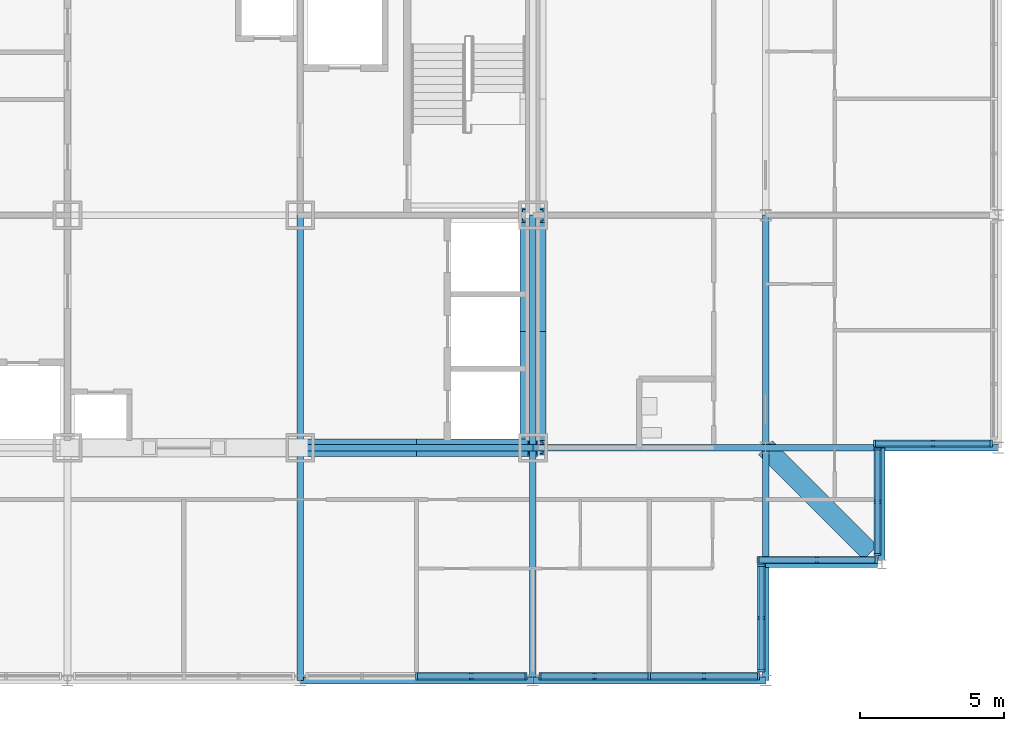
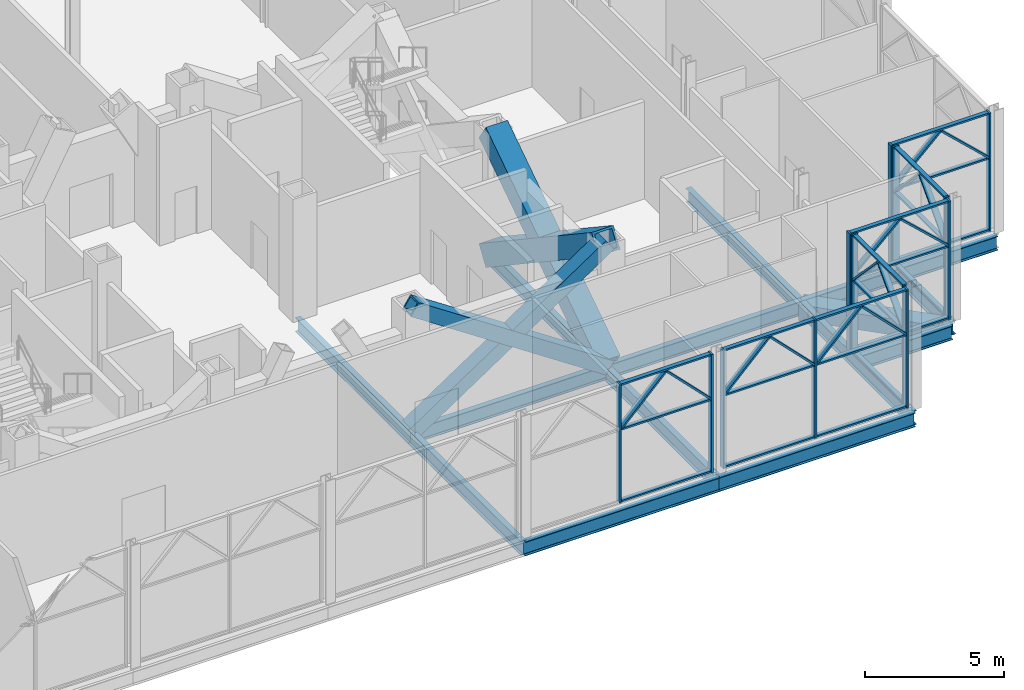
# One storey, part 8 of 26: 52 members, 14 beams, 6 elements without a shape of their own.
"""IFC4 building model written with IfcOpenShell, lengths in metres."""

from ifc_helpers import new_model, si_unit, direction, frame, origin, origin_2d, place, context, subcontext, project, spatial, rectangle, hollow_rectangle, i_section, extrude, material, material_profile, profile_set, type_object, element, aggregate, save


model = new_model("IFC4")

# Units and contexts
model_context = context("Model", 3, precision=1e-05, world=origin(), true_north=direction((0.0, 1.0)))
body_context = subcontext(model_context, "Body", "Model", "MODEL_VIEW")
ifc_project = project(units=[si_unit("LENGTHUNIT", "METRE"), si_unit("AREAUNIT", "SQUARE_METRE"), si_unit("VOLUMEUNIT", "CUBIC_METRE"), si_unit("PLANEANGLEUNIT", "RADIAN"), si_unit("MASSUNIT", "GRAM", prefix="KILO")], contexts=[model_context])

# Site, building, storey
site_placement = place(None, origin())
site = spatial("IfcSite", under=ifc_project, at=site_placement, CompositionType="ELEMENT")
building_placement = place(site_placement, origin())
building = spatial("IfcBuilding", under=site, at=building_placement, Name="Kopane Lantern Tower", CompositionType="ELEMENT")
storey_placement = place(building_placement, frame((0.0, 0.0, 293.10009765625)))
storey = spatial("IfcBuildingStorey", under=building, at=storey_placement, Name="L75", CompositionType="ELEMENT", Elevation=293.10009765625)

# Members
ifc_material_1 = material(Name="Steel S355JR", Category="steel")
ifc_material_profile_1 = material_profile(ifc_material_1, hollow_rectangle(XDim=0.60009765625, YDim=0.60009765625, WallThickness=0.06005859375, at=origin_2d()), Name="BOX 600x600x60")
ifc_profile_set_1 = profile_set([ifc_material_profile_1], Name="Steel S355JR")
member_type_1 = type_object("IfcMemberType", Name="BRACE BOX 600x600x60", PredefinedType="BRACE", material=ifc_profile_set_1)
for number, where, z_axis, x_axis, name in (
    (1, (32.39990234375, 24.300048828125, -0.210205078125), (0.832046436124, 0.0, 0.554705983502), (0.0, 1.0, 0.0), "Core brace L75"),
    (2, (40.5, 24.300048828125, -0.210205078125), (-0.832046436124, 0.0, 0.554705983502), (0.0, -1.0, 0.0), "Core brace L75"),
):
    element("IfcMember", number, at=place(storey_placement, frame(where, z_axis=z_axis, x_axis=x_axis)), inside=storey, type_object=member_type_1, Name=name, PredefinedType="BRACE", context=body_context, shape_type="SweptSolid", body=[
        extrude(hollow_rectangle(XDim=0.60009765625, YDim=0.60009765625, WallThickness=0.06005859375, at=origin_2d()), origin(), (0.0, 0.0, 1.0), 9.735107421875),
    ])
ifc_material_2 = material(Name="Steel S355JR", Category="steel")
ifc_material_profile_2 = material_profile(ifc_material_2, hollow_rectangle(XDim=0.89990234375, YDim=0.89990234375, WallThickness=0.090087890625, at=origin_2d()), Name="BOX 900x900x90")
ifc_profile_set_2 = profile_set([ifc_material_profile_2], Name="Steel S355JR")
member_type_2 = type_object("IfcMemberType", Name="BRACE BOX 900x900x90", PredefinedType="BRACE", material=ifc_profile_set_2)
for number, where, z_axis, x_axis, name in (
    (3, (40.5, 24.300048828125, -0.210205078125), (0.0, 0.832038719335, 0.554717558338), (-1.0, 0.0, 0.0), "Core brace L75"),
    (4, (40.5, 32.39990234375, -0.210205078125), (0.0, -0.832038719335, 0.554717558338), (1.0, 0.0, 0.0), "Core brace L75"),
):
    element("IfcMember", number, at=place(storey_placement, frame(where, z_axis=z_axis, x_axis=x_axis)), inside=storey, type_object=member_type_2, Name=name, PredefinedType="BRACE", context=body_context, shape_type="SweptSolid", body=[
        extrude(hollow_rectangle(XDim=0.89990234375, YDim=0.89990234375, WallThickness=0.090087890625, at=origin_2d()), origin(), (0.0, 0.0, 1.0), 9.73486328125),
    ])

# Beams
ifc_material_3 = material(Name="Steel S355JR", Category="steel")
ifc_material_profile_3 = material_profile(ifc_material_3, i_section(OverallWidth=0.22900390625, OverallDepth=0.6123046875, WebThickness=0.011962890625, FlangeThickness=0.01953125, FilletRadius=0.0126953125, at=origin_2d()), Name="UB 610x229x125")
ifc_profile_set_3 = profile_set([ifc_material_profile_3], Name="Steel S355JR")
beam_type_1 = type_object("IfcBeamType", Name="CORE BEAM UB 610x229x125", PredefinedType="BEAM", material=ifc_profile_set_3)
beam_1_placement = place(storey_placement, frame((32.39990234375, 24.300048828125, -0.51611328125), z_axis=(0.0, 1.0, 0.0), x_axis=(-1.0, 0.0, 0.0)))
element("IfcBeam", 5, at=beam_1_placement, inside=storey, type_object=beam_type_1, Name="Core Beam L75", PredefinedType="BEAM", context=body_context, shape_type="SweptSolid", body=[
    extrude(i_section(OverallWidth=0.22900390625, OverallDepth=0.6123046875, WebThickness=0.011962890625, FlangeThickness=0.01953125, FilletRadius=0.0126953125, at=origin_2d()), origin(), (0.0, 0.0, 1.0), 8.099853515625),
])
ifc_material_4 = material(Name="Steel S355JR", Category="steel")
ifc_material_profile_4 = material_profile(ifc_material_4, hollow_rectangle(XDim=0.699951171875, YDim=0.699951171875, WallThickness=0.06005859375, at=origin_2d()), Name="BOX 700x700x60")
ifc_profile_set_4 = profile_set([ifc_material_profile_4], Name="Steel S355JR")
beam_type_2 = type_object("IfcBeamType", Name="CORNER TIE BEAM BOX 700x700x60", PredefinedType="BEAM", material=ifc_profile_set_4)
beam_2_placement = place(storey_placement, frame((52.25244140625, 20.6474609375, -0.56005859375), z_axis=(-0.707083148333, 0.70713041325, 0.0), x_axis=(-0.70713041325, -0.707083148333, 0.0)))
element("IfcBeam", 6, at=beam_2_placement, inside=storey, type_object=beam_type_2, Name="Corner Tie Beam L75", PredefinedType="BEAM", context=body_context, shape_type="SweptSolid", body=[
    extrude(hollow_rectangle(XDim=0.699951171875, YDim=0.699951171875, WallThickness=0.06005859375, at=origin_2d()), origin(), (0.0, 0.0, 1.0), 5.165283203125),
])
ifc_material_5 = material(Name="Steel S355JR", Category="steel")
ifc_material_profile_5 = material_profile(ifc_material_5, i_section(OverallWidth=0.22900390625, OverallDepth=0.6123046875, WebThickness=0.011962890625, FlangeThickness=0.01953125, FilletRadius=0.0126953125, at=origin_2d()), Name="UB 610x229x125")
ifc_profile_set_5 = profile_set([ifc_material_profile_5], Name="Steel S355JR")
beam_type_3 = type_object("IfcBeamType", Name="EDGE BEAM UB 610x229x125", PredefinedType="BEAM", material=ifc_profile_set_5)
for number, where, z_axis, x_axis, name in (
    (7, (52.496337890625, 20.25, -0.51611328125), (-1.0, 0.0, 0.0), (0.0, -1.0, 0.0), "Edge Beam L75"),
    (8, (52.64990234375, 20.40380859375, -0.51611328125), (0.0, 1.0, 0.0), (-1.0, 0.0, 0.0), "Edge Beam L75"),
):
    element("IfcBeam", number, at=place(storey_placement, frame(where, z_axis=z_axis, x_axis=x_axis)), inside=storey, type_object=beam_type_3, Name=name, PredefinedType="BEAM", context=body_context, shape_type="SweptSolid", body=[
        extrude(i_section(OverallWidth=0.22900390625, OverallDepth=0.6123046875, WebThickness=0.011962890625, FlangeThickness=0.01953125, FilletRadius=0.0126953125, at=origin_2d()), origin(), (0.0, 0.0, 1.0), 3.896240234375),
    ])
ifc_material_6 = material(Name="Steel S355JR", Category="steel")
ifc_material_profile_6 = material_profile(ifc_material_6, i_section(OverallWidth=0.22900390625, OverallDepth=0.6123046875, WebThickness=0.011962890625, FlangeThickness=0.01953125, FilletRadius=0.0126953125, at=origin_2d()), Name="UB 610x229x125")
ifc_profile_set_6 = profile_set([ifc_material_profile_6], Name="Steel S355JR")
beam_type_4 = type_object("IfcBeamType", Name="GIRDER UB 610x229x125", PredefinedType="BEAM", material=ifc_profile_set_6)
for number, where, z_axis, x_axis, name in (
    (9, (32.39990234375, 16.199951171875, -0.51611328125), (0.0, 1.0, 0.0), (-1.0, 0.0, 0.0), "Girder L75"),
    (10, (32.39990234375, 16.199951171875, -0.51611328125), (1.0, 0.0, 0.0), (0.0, 1.0, 0.0), "Girder L75"),
    (11, (32.39990234375, 24.300048828125, -0.51611328125), (1.0, 0.0, 0.0), (0.0, 1.0, 0.0), "Girder L75"),
    (12, (40.5, 16.199951171875, -0.51611328125), (0.0, 1.0, 0.0), (-1.0, 0.0, 0.0), "Girder L75"),
    (13, (40.5, 16.199951171875, -0.51611328125), (1.0, 0.0, 0.0), (0.0, 1.0, 0.0), "Girder L75"),
):
    element("IfcBeam", number, at=place(storey_placement, frame(where, z_axis=z_axis, x_axis=x_axis)), inside=storey, type_object=beam_type_4, Name=name, PredefinedType="BEAM", context=body_context, shape_type="SweptSolid", body=[
        extrude(i_section(OverallWidth=0.22900390625, OverallDepth=0.6123046875, WebThickness=0.011962890625, FlangeThickness=0.01953125, FilletRadius=0.0126953125, at=origin_2d()), origin(), (0.0, 0.0, 1.0), 8.10009765625),
    ])
beam_3_placement = place(storey_placement, frame((40.5, 24.300048828125, -0.51611328125), z_axis=(0.0, 1.0, 0.0), x_axis=(-1.0, 0.0, 0.0)))
element("IfcBeam", 14, at=beam_3_placement, inside=storey, type_object=beam_type_4, Name="Girder L75", PredefinedType="BEAM", context=body_context, shape_type="SweptSolid", body=[
    extrude(i_section(OverallWidth=0.22900390625, OverallDepth=0.6123046875, WebThickness=0.011962890625, FlangeThickness=0.01953125, FilletRadius=0.0126953125, at=origin_2d()), origin(), (0.0, 0.0, 1.0), 8.099853515625),
])
for number, where, z_axis, x_axis, name in (
    (15, (40.5, 24.300048828125, -0.51611328125), (1.0, 0.0, 0.0), (0.0, 1.0, 0.0), "Girder L75"),
    (16, (48.60009765625, 16.199951171875, -0.51611328125), (0.0, 1.0, 0.0), (-1.0, 0.0, 0.0), "Girder L75"),
):
    element("IfcBeam", number, at=place(storey_placement, frame(where, z_axis=z_axis, x_axis=x_axis)), inside=storey, type_object=beam_type_4, Name=name, PredefinedType="BEAM", context=body_context, shape_type="SweptSolid", body=[
        extrude(i_section(OverallWidth=0.22900390625, OverallDepth=0.6123046875, WebThickness=0.011962890625, FlangeThickness=0.01953125, FilletRadius=0.0126953125, at=origin_2d()), origin(), (0.0, 0.0, 1.0), 8.10009765625),
    ])
for number, where, z_axis, x_axis, name in (
    (17, (48.60009765625, 24.300048828125, -0.51611328125), (0.0, 1.0, 0.0), (-1.0, 0.0, 0.0), "Girder L75"),
    (18, (48.60009765625, 24.300048828125, -0.51611328125), (1.0, 0.0, 0.0), (0.0, 1.0, 0.0), "Girder L75"),
):
    element("IfcBeam", number, at=place(storey_placement, frame(where, z_axis=z_axis, x_axis=x_axis)), inside=storey, type_object=beam_type_4, Name=name, PredefinedType="BEAM", context=body_context, shape_type="SweptSolid", body=[
        extrude(i_section(OverallWidth=0.22900390625, OverallDepth=0.6123046875, WebThickness=0.011962890625, FlangeThickness=0.01953125, FilletRadius=0.0126953125, at=origin_2d()), origin(), (0.0, 0.0, 1.0), 8.099853515625),
    ])

# Curtain wall, members
ifc_material_7 = material(Name="Aluminium and clear glass", Category="aluminium")
curtain_wall_type = type_object("IfcCurtainWallType", Name="CURTAIN WALL CW5 SKY RESTAURANT", PredefinedType="USERDEFINED", material=ifc_material_7)
curtain_wall_1_placement = place(storey_placement, origin())
curtain_wall_1 = element("IfcCurtainWall", 19, at=curtain_wall_1_placement, inside=storey, type_object=curtain_wall_type, Name="Curtain wall CW5 S L75", ObjectType="CURTAIN WALL", PredefinedType="USERDEFINED")
ifc_material_8 = material(Name="Aluminium", Category="aluminium")
ifc_material_profile_7 = material_profile(ifc_material_8, rectangle(XDim=0.074951171875, YDim=0.25, at=origin_2d()), Name="AL 75x250")
ifc_profile_set_7 = profile_set([ifc_material_profile_7], Name="Aluminium")
member_type_3 = type_object("IfcMemberType", Name="MULLION CW5-M 75x250", PredefinedType="MULLION", material=ifc_profile_set_7)
member_1_placement = place(storey_placement, frame((36.449951171875, 16.35009765625, 0.0), z_axis=(0.0, 0.0, 1.0), x_axis=(1.0, 0.0, 0.0)))
member_1 = element("IfcMember", 20, at=member_1_placement, type_object=member_type_3, Name="CW5 mullion 2", PredefinedType="MULLION", context=body_context, shape_type="SweptSolid", body=[
    extrude(rectangle(XDim=0.074951171875, YDim=0.25, at=origin_2d()), origin(), (0.0, 0.0, 1.0), 5.18994140625),
])
member_2_placement = place(storey_placement, frame((40.258056640625, 16.35009765625, 0.0), z_axis=(0.0, 0.0, 1.0), x_axis=(1.0, 0.0, 0.0)))
member_2 = element("IfcMember", 21, at=member_2_placement, type_object=member_type_3, Name="CW5 mullion 3", PredefinedType="MULLION", context=body_context, shape_type="SweptSolid", body=[
    extrude(rectangle(XDim=0.074951171875, YDim=0.25, at=origin_2d()), origin(), (0.0, 0.0, 1.0), 5.18994140625),
])
member_3_placement = place(storey_placement, frame((36.51416015625, 16.35009765625, 3.25390625), z_axis=(0.702930128182, 0.0, 0.711258908481), x_axis=(-0.711258908481, 0.0, 0.702930128182)))
member_3 = element("IfcMember", 22, at=member_3_placement, type_object=member_type_3, Name="CW5 lancet mullion 2L", PredefinedType="MULLION", context=body_context, shape_type="SweptSolid", body=[
    extrude(rectangle(XDim=0.074951171875, YDim=0.25, at=origin_2d()), origin(), (0.0, 0.0, 1.0), 2.57958984375),
])
member_4_placement = place(storey_placement, frame((40.19384765625, 16.35009765625, 3.25390625), z_axis=(-0.702930128182, 0.0, 0.711258908481), x_axis=(0.711258908481, 0.0, 0.702930128182)))
member_4 = element("IfcMember", 23, at=member_4_placement, type_object=member_type_3, Name="CW5 lancet mullion 2R", PredefinedType="MULLION", context=body_context, shape_type="SweptSolid", body=[
    extrude(rectangle(XDim=0.074951171875, YDim=0.25, at=origin_2d()), origin(), (0.0, 0.0, 1.0), 2.57958984375),
])

curtain_wall_2_placement = place(storey_placement, origin())
curtain_wall_2 = element("IfcCurtainWall", 24, at=curtain_wall_2_placement, inside=storey, type_object=curtain_wall_type, Name="Curtain wall CW5 S L75", ObjectType="CURTAIN WALL", PredefinedType="USERDEFINED")
member_5_placement = place(storey_placement, frame((40.741943359375, 16.35009765625, 0.0), z_axis=(0.0, 0.0, 1.0), x_axis=(1.0, 0.0, 0.0)))
member_5 = element("IfcMember", 25, at=member_5_placement, type_object=member_type_3, Name="CW5 mullion 1", PredefinedType="MULLION", context=body_context, shape_type="SweptSolid", body=[
    extrude(rectangle(XDim=0.074951171875, YDim=0.25, at=origin_2d()), origin(), (0.0, 0.0, 1.0), 5.18994140625),
])
member_6_placement = place(storey_placement, frame((44.550048828125, 16.35009765625, 0.0), z_axis=(0.0, 0.0, 1.0), x_axis=(1.0, 0.0, 0.0)))
member_6 = element("IfcMember", 26, at=member_6_placement, type_object=member_type_3, Name="CW5 mullion 2", PredefinedType="MULLION", context=body_context, shape_type="SweptSolid", body=[
    extrude(rectangle(XDim=0.074951171875, YDim=0.25, at=origin_2d()), origin(), (0.0, 0.0, 1.0), 5.18994140625),
])
member_7_placement = place(storey_placement, frame((48.35791015625, 16.35009765625, 0.0), z_axis=(0.0, 0.0, 1.0), x_axis=(1.0, 0.0, 0.0)))
member_7 = element("IfcMember", 27, at=member_7_placement, type_object=member_type_3, Name="CW5 mullion 3", PredefinedType="MULLION", context=body_context, shape_type="SweptSolid", body=[
    extrude(rectangle(XDim=0.074951171875, YDim=0.25, at=origin_2d()), origin(), (0.0, 0.0, 1.0), 5.18994140625),
])
member_8_placement = place(storey_placement, frame((40.80615234375, 16.35009765625, 3.25390625), z_axis=(0.702930128182, 0.0, 0.711258908481), x_axis=(-0.711258908481, 0.0, 0.702930128182)))
member_8 = element("IfcMember", 28, at=member_8_placement, type_object=member_type_3, Name="CW5 lancet mullion 1L", PredefinedType="MULLION", context=body_context, shape_type="SweptSolid", body=[
    extrude(rectangle(XDim=0.074951171875, YDim=0.25, at=origin_2d()), origin(), (0.0, 0.0, 1.0), 2.57958984375),
])
member_9_placement = place(storey_placement, frame((44.48583984375, 16.35009765625, 3.25390625), z_axis=(-0.702930128182, 0.0, 0.711258908481), x_axis=(0.711258908481, 0.0, 0.702930128182)))
member_9 = element("IfcMember", 29, at=member_9_placement, type_object=member_type_3, Name="CW5 lancet mullion 1R", PredefinedType="MULLION", context=body_context, shape_type="SweptSolid", body=[
    extrude(rectangle(XDim=0.074951171875, YDim=0.25, at=origin_2d()), origin(), (0.0, 0.0, 1.0), 2.57958984375),
])
member_10_placement = place(storey_placement, frame((44.6142578125, 16.35009765625, 3.25390625), z_axis=(0.7028822434, 0.0, 0.71130622935), x_axis=(-0.71130622935, 0.0, 0.7028822434)))
member_10 = element("IfcMember", 30, at=member_10_placement, type_object=member_type_3, Name="CW5 lancet mullion 2L", PredefinedType="MULLION", context=body_context, shape_type="SweptSolid", body=[
    extrude(rectangle(XDim=0.074951171875, YDim=0.25, at=origin_2d()), origin(), (0.0, 0.0, 1.0), 2.579345703125),
])
member_11_placement = place(storey_placement, frame((48.293701171875, 16.35009765625, 3.25390625), z_axis=(-0.7028822434, 0.0, 0.71130622935), x_axis=(0.71130622935, 0.0, 0.7028822434)))
member_11 = element("IfcMember", 31, at=member_11_placement, type_object=member_type_3, Name="CW5 lancet mullion 2R", PredefinedType="MULLION", context=body_context, shape_type="SweptSolid", body=[
    extrude(rectangle(XDim=0.074951171875, YDim=0.25, at=origin_2d()), origin(), (0.0, 0.0, 1.0), 2.579345703125),
])

curtain_wall_3_placement = place(storey_placement, origin())
curtain_wall_3 = element("IfcCurtainWall", 32, at=curtain_wall_3_placement, inside=storey, type_object=curtain_wall_type, Name="Curtain wall CW5 E L75", ObjectType="CURTAIN WALL", PredefinedType="USERDEFINED")
member_12_placement = place(storey_placement, frame((48.449951171875, 16.53759765625, 0.0), z_axis=(0.0, 0.0, 1.0), x_axis=(0.0, 1.0, 0.0)))
member_12 = element("IfcMember", 33, at=member_12_placement, type_object=member_type_3, Name="CW5 mullion 1", PredefinedType="MULLION", context=body_context, shape_type="SweptSolid", body=[
    extrude(rectangle(XDim=0.074951171875, YDim=0.25, at=origin_2d()), origin(), (0.0, 0.0, 1.0), 5.18994140625),
])
member_13_placement = place(storey_placement, frame((48.449951171875, 20.21240234375, 0.0), z_axis=(0.0, 0.0, 1.0), x_axis=(0.0, 1.0, 0.0)))
member_13 = element("IfcMember", 34, at=member_13_placement, type_object=member_type_3, Name="CW5 mullion 2", PredefinedType="MULLION", context=body_context, shape_type="SweptSolid", body=[
    extrude(rectangle(XDim=0.074951171875, YDim=0.25, at=origin_2d()), origin(), (0.0, 0.0, 1.0), 5.18994140625),
])
member_14_placement = place(storey_placement, frame((48.449951171875, 16.602294921875, 3.253173828125), z_axis=(0.0, 0.689053331261, 0.724710636515), x_axis=(0.0, -0.724710636515, 0.689053331261)))
member_14 = element("IfcMember", 35, at=member_14_placement, type_object=member_type_3, Name="CW5 lancet mullion 1L", PredefinedType="MULLION", context=body_context, shape_type="SweptSolid", body=[
    extrude(rectangle(XDim=0.074951171875, YDim=0.25, at=origin_2d()), origin(), (0.0, 0.0, 1.0), 2.533447265625),
])
member_15_placement = place(storey_placement, frame((48.449951171875, 20.147705078125, 3.253173828125), z_axis=(0.0, -0.689053331261, 0.724710636515), x_axis=(0.0, 0.724710636515, 0.689053331261)))
member_15 = element("IfcMember", 36, at=member_15_placement, type_object=member_type_3, Name="CW5 lancet mullion 1R", PredefinedType="MULLION", context=body_context, shape_type="SweptSolid", body=[
    extrude(rectangle(XDim=0.074951171875, YDim=0.25, at=origin_2d()), origin(), (0.0, 0.0, 1.0), 2.533447265625),
])

curtain_wall_4_placement = place(storey_placement, origin())
curtain_wall_4 = element("IfcCurtainWall", 37, at=curtain_wall_4_placement, inside=storey, type_object=curtain_wall_type, Name="Curtain wall CW5 S L75", ObjectType="CURTAIN WALL", PredefinedType="USERDEFINED")
member_16_placement = place(storey_placement, frame((48.33740234375, 20.39990234375, 0.0), z_axis=(0.0, 0.0, 1.0), x_axis=(1.0, 0.0, 0.0)))
member_16 = element("IfcMember", 38, at=member_16_placement, type_object=member_type_3, Name="CW5 mullion 1", PredefinedType="MULLION", context=body_context, shape_type="SweptSolid", body=[
    extrude(rectangle(XDim=0.074951171875, YDim=0.25, at=origin_2d()), origin(), (0.0, 0.0, 1.0), 5.18994140625),
])
member_17_placement = place(storey_placement, frame((52.453857421875, 20.39990234375, 0.0), z_axis=(0.0, 0.0, 1.0), x_axis=(1.0, 0.0, 0.0)))
member_17 = element("IfcMember", 39, at=member_17_placement, type_object=member_type_3, Name="CW5 mullion 2", PredefinedType="MULLION", context=body_context, shape_type="SweptSolid", body=[
    extrude(rectangle(XDim=0.074951171875, YDim=0.25, at=origin_2d()), origin(), (0.0, 0.0, 1.0), 5.18994140625),
])
member_18_placement = place(storey_placement, frame((48.400390625, 20.39990234375, 3.2548828125), z_axis=(0.732146744025, 0.0, 0.681146933645), x_axis=(-0.681146933645, 0.0, 0.732146744025)))
member_18 = element("IfcMember", 40, at=member_18_placement, type_object=member_type_3, Name="CW5 lancet mullion 1L", PredefinedType="MULLION", context=body_context, shape_type="SweptSolid", body=[
    extrude(rectangle(XDim=0.074951171875, YDim=0.25, at=origin_2d()), origin(), (0.0, 0.0, 1.0), 2.6904296875),
])
member_19_placement = place(storey_placement, frame((52.390869140625, 20.39990234375, 3.2548828125), z_axis=(-0.732146744025, 0.0, 0.681146933645), x_axis=(0.681146933645, 0.0, 0.732146744025)))
member_19 = element("IfcMember", 41, at=member_19_placement, type_object=member_type_3, Name="CW5 lancet mullion 1R", PredefinedType="MULLION", context=body_context, shape_type="SweptSolid", body=[
    extrude(rectangle(XDim=0.074951171875, YDim=0.25, at=origin_2d()), origin(), (0.0, 0.0, 1.0), 2.6904296875),
])

curtain_wall_5_placement = place(storey_placement, origin())
curtain_wall_5 = element("IfcCurtainWall", 42, at=curtain_wall_5_placement, inside=storey, type_object=curtain_wall_type, Name="Curtain wall CW5 E L75", ObjectType="CURTAIN WALL", PredefinedType="USERDEFINED")
member_20_placement = place(storey_placement, frame((52.5, 20.58740234375, 0.0), z_axis=(0.0, 0.0, 1.0), x_axis=(0.0, 1.0, 0.0)))
member_20 = element("IfcMember", 43, at=member_20_placement, type_object=member_type_3, Name="CW5 mullion 1", PredefinedType="MULLION", context=body_context, shape_type="SweptSolid", body=[
    extrude(rectangle(XDim=0.074951171875, YDim=0.25, at=origin_2d()), origin(), (0.0, 0.0, 1.0), 5.18994140625),
])
member_21_placement = place(storey_placement, frame((52.5, 24.262451171875, 0.0), z_axis=(0.0, 0.0, 1.0), x_axis=(0.0, 1.0, 0.0)))
member_21 = element("IfcMember", 44, at=member_21_placement, type_object=member_type_3, Name="CW5 mullion 2", PredefinedType="MULLION", context=body_context, shape_type="SweptSolid", body=[
    extrude(rectangle(XDim=0.074951171875, YDim=0.25, at=origin_2d()), origin(), (0.0, 0.0, 1.0), 5.18994140625),
])
member_22_placement = place(storey_placement, frame((52.5, 20.652099609375, 3.253173828125), z_axis=(0.0, 0.689053331261, 0.724710636515), x_axis=(0.0, -0.724710636515, 0.689053331261)))
member_22 = element("IfcMember", 45, at=member_22_placement, type_object=member_type_3, Name="CW5 lancet mullion 1L", PredefinedType="MULLION", context=body_context, shape_type="SweptSolid", body=[
    extrude(rectangle(XDim=0.074951171875, YDim=0.25, at=origin_2d()), origin(), (0.0, 0.0, 1.0), 2.533447265625),
])
member_23_placement = place(storey_placement, frame((52.5, 24.19775390625, 3.253173828125), z_axis=(0.0, -0.689053331261, 0.724710636515), x_axis=(0.0, 0.724710636515, 0.689053331261)))
member_23 = element("IfcMember", 46, at=member_23_placement, type_object=member_type_3, Name="CW5 lancet mullion 1R", PredefinedType="MULLION", context=body_context, shape_type="SweptSolid", body=[
    extrude(rectangle(XDim=0.074951171875, YDim=0.25, at=origin_2d()), origin(), (0.0, 0.0, 1.0), 2.533447265625),
])

curtain_wall_6_placement = place(storey_placement, origin())
curtain_wall_6 = element("IfcCurtainWall", 47, at=curtain_wall_6_placement, inside=storey, type_object=curtain_wall_type, Name="Curtain wall CW5 S L75", ObjectType="CURTAIN WALL", PredefinedType="USERDEFINED")
member_24_placement = place(storey_placement, frame((52.387451171875, 24.449951171875, 0.0), z_axis=(0.0, 0.0, 1.0), x_axis=(1.0, 0.0, 0.0)))
member_24 = element("IfcMember", 48, at=member_24_placement, type_object=member_type_3, Name="CW5 mullion 1", PredefinedType="MULLION", context=body_context, shape_type="SweptSolid", body=[
    extrude(rectangle(XDim=0.074951171875, YDim=0.25, at=origin_2d()), origin(), (0.0, 0.0, 1.0), 5.18994140625),
])
member_25_placement = place(storey_placement, frame((56.4580078125, 24.449951171875, 0.0), z_axis=(0.0, 0.0, 1.0), x_axis=(1.0, 0.0, 0.0)))
member_25 = element("IfcMember", 49, at=member_25_placement, type_object=member_type_3, Name="CW5 mullion 2", PredefinedType="MULLION", context=body_context, shape_type="SweptSolid", body=[
    extrude(rectangle(XDim=0.074951171875, YDim=0.25, at=origin_2d()), origin(), (0.0, 0.0, 1.0), 5.18994140625),
])
member_26_placement = place(storey_placement, frame((52.45068359375, 24.449951171875, 3.254638671875), z_axis=(0.727974761986, 0.0, 0.685603927871), x_axis=(-0.685603927871, 0.0, 0.727974761986)))
member_26 = element("IfcMember", 50, at=member_26_placement, type_object=member_type_3, Name="CW5 lancet mullion 1L", PredefinedType="MULLION", context=body_context, shape_type="SweptSolid", body=[
    extrude(rectangle(XDim=0.074951171875, YDim=0.25, at=origin_2d()), origin(), (0.0, 0.0, 1.0), 2.673583984375),
])
member_27_placement = place(storey_placement, frame((56.394775390625, 24.449951171875, 3.254638671875), z_axis=(-0.727974761986, 0.0, 0.685603927871), x_axis=(0.685603927871, 0.0, 0.727974761986)))
member_27 = element("IfcMember", 51, at=member_27_placement, type_object=member_type_3, Name="CW5 lancet mullion 1R", PredefinedType="MULLION", context=body_context, shape_type="SweptSolid", body=[
    extrude(rectangle(XDim=0.074951171875, YDim=0.25, at=origin_2d()), origin(), (0.0, 0.0, 1.0), 2.673583984375),
])

# Member
ifc_material_9 = material(Name="Aluminium", Category="aluminium")
ifc_material_profile_8 = material_profile(ifc_material_9, rectangle(XDim=0.175048828125, YDim=0.074951171875, at=origin_2d()), Name="AL 175x75")
ifc_profile_set_8 = profile_set([ifc_material_profile_8], Name="Aluminium")
member_type_4 = type_object("IfcMemberType", Name="TRANSOM CW5-T 75x175", PredefinedType="USERDEFINED", material=ifc_profile_set_8)
member_28_placement = place(storey_placement, frame((36.487548828125, 16.35009765625, 0.037353515625), z_axis=(1.0, 0.0, 0.0), x_axis=(0.0, 1.0, 0.0)))
member_28 = element("IfcMember", 52, at=member_28_placement, type_object=member_type_4, Name="CW5 transom 2.1", ObjectType="TRANSOM", PredefinedType="USERDEFINED", context=body_context, shape_type="SweptSolid", body=[
    extrude(rectangle(XDim=0.175048828125, YDim=0.074951171875, at=origin_2d()), origin(), (0.0, 0.0, 1.0), 3.73291015625),
])

member_29_placement = place(storey_placement, frame((36.487548828125, 16.35009765625, 3.18994140625), z_axis=(1.0, 0.0, 0.0), x_axis=(0.0, 1.0, 0.0)))
member_29 = element("IfcMember", 53, at=member_29_placement, type_object=member_type_4, Name="CW5 transom 2.2", ObjectType="TRANSOM", PredefinedType="USERDEFINED", context=body_context, shape_type="SweptSolid", body=[
    extrude(rectangle(XDim=0.175048828125, YDim=0.074951171875, at=origin_2d()), origin(), (0.0, 0.0, 1.0), 3.73291015625),
])

member_30_placement = place(storey_placement, frame((36.487548828125, 16.35009765625, 5.15234375), z_axis=(1.0, 0.0, 0.0), x_axis=(0.0, 1.0, 0.0)))
member_30 = element("IfcMember", 54, at=member_30_placement, type_object=member_type_4, Name="CW5 transom 2.3", ObjectType="TRANSOM", PredefinedType="USERDEFINED", context=body_context, shape_type="SweptSolid", body=[
    extrude(rectangle(XDim=0.175048828125, YDim=0.074951171875, at=origin_2d()), origin(), (0.0, 0.0, 1.0), 3.73291015625),
])

aggregate(curtain_wall_1, [member_1, member_2, member_28, member_29, member_30, member_3, member_4])

member_31_placement = place(storey_placement, frame((40.779541015625, 16.35009765625, 0.037353515625), z_axis=(1.0, 0.0, 0.0), x_axis=(0.0, 1.0, 0.0)))
member_31 = element("IfcMember", 55, at=member_31_placement, type_object=member_type_4, Name="CW5 transom 1.1", ObjectType="TRANSOM", PredefinedType="USERDEFINED", context=body_context, shape_type="SweptSolid", body=[
    extrude(rectangle(XDim=0.175048828125, YDim=0.074951171875, at=origin_2d()), origin(), (0.0, 0.0, 1.0), 3.73291015625),
])

member_32_placement = place(storey_placement, frame((40.779541015625, 16.35009765625, 3.18994140625), z_axis=(1.0, 0.0, 0.0), x_axis=(0.0, 1.0, 0.0)))
member_32 = element("IfcMember", 56, at=member_32_placement, type_object=member_type_4, Name="CW5 transom 1.2", ObjectType="TRANSOM", PredefinedType="USERDEFINED", context=body_context, shape_type="SweptSolid", body=[
    extrude(rectangle(XDim=0.175048828125, YDim=0.074951171875, at=origin_2d()), origin(), (0.0, 0.0, 1.0), 3.73291015625),
])

member_33_placement = place(storey_placement, frame((40.779541015625, 16.35009765625, 5.15234375), z_axis=(1.0, 0.0, 0.0), x_axis=(0.0, 1.0, 0.0)))
member_33 = element("IfcMember", 57, at=member_33_placement, type_object=member_type_4, Name="CW5 transom 1.3", ObjectType="TRANSOM", PredefinedType="USERDEFINED", context=body_context, shape_type="SweptSolid", body=[
    extrude(rectangle(XDim=0.175048828125, YDim=0.074951171875, at=origin_2d()), origin(), (0.0, 0.0, 1.0), 3.73291015625),
])

member_34_placement = place(storey_placement, frame((44.58740234375, 16.35009765625, 0.037353515625), z_axis=(1.0, 0.0, 0.0), x_axis=(0.0, 1.0, 0.0)))
member_34 = element("IfcMember", 58, at=member_34_placement, type_object=member_type_4, Name="CW5 transom 2.1", ObjectType="TRANSOM", PredefinedType="USERDEFINED", context=body_context, shape_type="SweptSolid", body=[
    extrude(rectangle(XDim=0.175048828125, YDim=0.074951171875, at=origin_2d()), origin(), (0.0, 0.0, 1.0), 3.733154296875),
])

member_35_placement = place(storey_placement, frame((44.58740234375, 16.35009765625, 3.18994140625), z_axis=(1.0, 0.0, 0.0), x_axis=(0.0, 1.0, 0.0)))
member_35 = element("IfcMember", 59, at=member_35_placement, type_object=member_type_4, Name="CW5 transom 2.2", ObjectType="TRANSOM", PredefinedType="USERDEFINED", context=body_context, shape_type="SweptSolid", body=[
    extrude(rectangle(XDim=0.175048828125, YDim=0.074951171875, at=origin_2d()), origin(), (0.0, 0.0, 1.0), 3.733154296875),
])

member_36_placement = place(storey_placement, frame((44.58740234375, 16.35009765625, 5.15234375), z_axis=(1.0, 0.0, 0.0), x_axis=(0.0, 1.0, 0.0)))
member_36 = element("IfcMember", 60, at=member_36_placement, type_object=member_type_4, Name="CW5 transom 2.3", ObjectType="TRANSOM", PredefinedType="USERDEFINED", context=body_context, shape_type="SweptSolid", body=[
    extrude(rectangle(XDim=0.175048828125, YDim=0.074951171875, at=origin_2d()), origin(), (0.0, 0.0, 1.0), 3.733154296875),
])

aggregate(curtain_wall_2, [member_5, member_6, member_7, member_31, member_32, member_33, member_34, member_35, member_36, member_8, member_9, member_10, member_11])

member_37_placement = place(storey_placement, frame((48.449951171875, 16.574951171875, 0.037353515625), z_axis=(0.0, 1.0, 0.0), x_axis=(-1.0, 0.0, 0.0)))
member_37 = element("IfcMember", 61, at=member_37_placement, type_object=member_type_4, Name="CW5 transom 1.1", ObjectType="TRANSOM", PredefinedType="USERDEFINED", context=body_context, shape_type="SweptSolid", body=[
    extrude(rectangle(XDim=0.175048828125, YDim=0.074951171875, at=origin_2d()), origin(), (0.0, 0.0, 1.0), 3.60009765625),
])

member_38_placement = place(storey_placement, frame((48.449951171875, 16.574951171875, 3.18994140625), z_axis=(0.0, 1.0, 0.0), x_axis=(-1.0, 0.0, 0.0)))
member_38 = element("IfcMember", 62, at=member_38_placement, type_object=member_type_4, Name="CW5 transom 1.2", ObjectType="TRANSOM", PredefinedType="USERDEFINED", context=body_context, shape_type="SweptSolid", body=[
    extrude(rectangle(XDim=0.175048828125, YDim=0.074951171875, at=origin_2d()), origin(), (0.0, 0.0, 1.0), 3.60009765625),
])

member_39_placement = place(storey_placement, frame((48.449951171875, 16.574951171875, 5.15234375), z_axis=(0.0, 1.0, 0.0), x_axis=(-1.0, 0.0, 0.0)))
member_39 = element("IfcMember", 63, at=member_39_placement, type_object=member_type_4, Name="CW5 transom 1.3", ObjectType="TRANSOM", PredefinedType="USERDEFINED", context=body_context, shape_type="SweptSolid", body=[
    extrude(rectangle(XDim=0.175048828125, YDim=0.074951171875, at=origin_2d()), origin(), (0.0, 0.0, 1.0), 3.60009765625),
])

aggregate(curtain_wall_3, [member_12, member_13, member_37, member_38, member_39, member_14, member_15])

member_40_placement = place(storey_placement, frame((48.375, 20.39990234375, 0.037353515625), z_axis=(1.0, 0.0, 0.0), x_axis=(0.0, 1.0, 0.0)))
member_40 = element("IfcMember", 64, at=member_40_placement, type_object=member_type_4, Name="CW5 transom 1.1", ObjectType="TRANSOM", PredefinedType="USERDEFINED", context=body_context, shape_type="SweptSolid", body=[
    extrude(rectangle(XDim=0.175048828125, YDim=0.074951171875, at=origin_2d()), origin(), (0.0, 0.0, 1.0), 4.041259765625),
])

member_41_placement = place(storey_placement, frame((48.375, 20.39990234375, 3.18994140625), z_axis=(1.0, 0.0, 0.0), x_axis=(0.0, 1.0, 0.0)))
member_41 = element("IfcMember", 65, at=member_41_placement, type_object=member_type_4, Name="CW5 transom 1.2", ObjectType="TRANSOM", PredefinedType="USERDEFINED", context=body_context, shape_type="SweptSolid", body=[
    extrude(rectangle(XDim=0.175048828125, YDim=0.074951171875, at=origin_2d()), origin(), (0.0, 0.0, 1.0), 4.041259765625),
])

member_42_placement = place(storey_placement, frame((48.375, 20.39990234375, 5.15234375), z_axis=(1.0, 0.0, 0.0), x_axis=(0.0, 1.0, 0.0)))
member_42 = element("IfcMember", 66, at=member_42_placement, type_object=member_type_4, Name="CW5 transom 1.3", ObjectType="TRANSOM", PredefinedType="USERDEFINED", context=body_context, shape_type="SweptSolid", body=[
    extrude(rectangle(XDim=0.175048828125, YDim=0.074951171875, at=origin_2d()), origin(), (0.0, 0.0, 1.0), 4.041259765625),
])

aggregate(curtain_wall_4, [member_16, member_17, member_40, member_41, member_42, member_18, member_19])

member_43_placement = place(storey_placement, frame((52.5, 20.625, 0.037353515625), z_axis=(0.0, 1.0, 0.0), x_axis=(-1.0, 0.0, 0.0)))
member_43 = element("IfcMember", 67, at=member_43_placement, type_object=member_type_4, Name="CW5 transom 1.1", ObjectType="TRANSOM", PredefinedType="USERDEFINED", context=body_context, shape_type="SweptSolid", body=[
    extrude(rectangle(XDim=0.175048828125, YDim=0.074951171875, at=origin_2d()), origin(), (0.0, 0.0, 1.0), 3.60009765625),
])

member_44_placement = place(storey_placement, frame((52.5, 20.625, 3.18994140625), z_axis=(0.0, 1.0, 0.0), x_axis=(-1.0, 0.0, 0.0)))
member_44 = element("IfcMember", 68, at=member_44_placement, type_object=member_type_4, Name="CW5 transom 1.2", ObjectType="TRANSOM", PredefinedType="USERDEFINED", context=body_context, shape_type="SweptSolid", body=[
    extrude(rectangle(XDim=0.175048828125, YDim=0.074951171875, at=origin_2d()), origin(), (0.0, 0.0, 1.0), 3.60009765625),
])

member_45_placement = place(storey_placement, frame((52.5, 20.625, 5.15234375), z_axis=(0.0, 1.0, 0.0), x_axis=(-1.0, 0.0, 0.0)))
member_45 = element("IfcMember", 69, at=member_45_placement, type_object=member_type_4, Name="CW5 transom 1.3", ObjectType="TRANSOM", PredefinedType="USERDEFINED", context=body_context, shape_type="SweptSolid", body=[
    extrude(rectangle(XDim=0.175048828125, YDim=0.074951171875, at=origin_2d()), origin(), (0.0, 0.0, 1.0), 3.60009765625),
])

aggregate(curtain_wall_5, [member_20, member_21, member_43, member_44, member_45, member_22, member_23])

member_46_placement = place(storey_placement, frame((52.425048828125, 24.449951171875, 0.037353515625), z_axis=(1.0, 0.0, 0.0), x_axis=(0.0, 1.0, 0.0)))
member_46 = element("IfcMember", 70, at=member_46_placement, type_object=member_type_4, Name="CW5 transom 1.1", ObjectType="TRANSOM", PredefinedType="USERDEFINED", context=body_context, shape_type="SweptSolid", body=[
    extrude(rectangle(XDim=0.175048828125, YDim=0.074951171875, at=origin_2d()), origin(), (0.0, 0.0, 1.0), 3.995361328125),
])

member_47_placement = place(storey_placement, frame((52.425048828125, 24.449951171875, 3.18994140625), z_axis=(1.0, 0.0, 0.0), x_axis=(0.0, 1.0, 0.0)))
member_47 = element("IfcMember", 71, at=member_47_placement, type_object=member_type_4, Name="CW5 transom 1.2", ObjectType="TRANSOM", PredefinedType="USERDEFINED", context=body_context, shape_type="SweptSolid", body=[
    extrude(rectangle(XDim=0.175048828125, YDim=0.074951171875, at=origin_2d()), origin(), (0.0, 0.0, 1.0), 3.995361328125),
])

member_48_placement = place(storey_placement, frame((52.425048828125, 24.449951171875, 5.15234375), z_axis=(1.0, 0.0, 0.0), x_axis=(0.0, 1.0, 0.0)))
member_48 = element("IfcMember", 72, at=member_48_placement, type_object=member_type_4, Name="CW5 transom 1.3", ObjectType="TRANSOM", PredefinedType="USERDEFINED", context=body_context, shape_type="SweptSolid", body=[
    extrude(rectangle(XDim=0.175048828125, YDim=0.074951171875, at=origin_2d()), origin(), (0.0, 0.0, 1.0), 3.995361328125),
])

aggregate(curtain_wall_6, [member_24, member_25, member_46, member_47, member_48, member_26, member_27])

save(model, "model.ifc")
